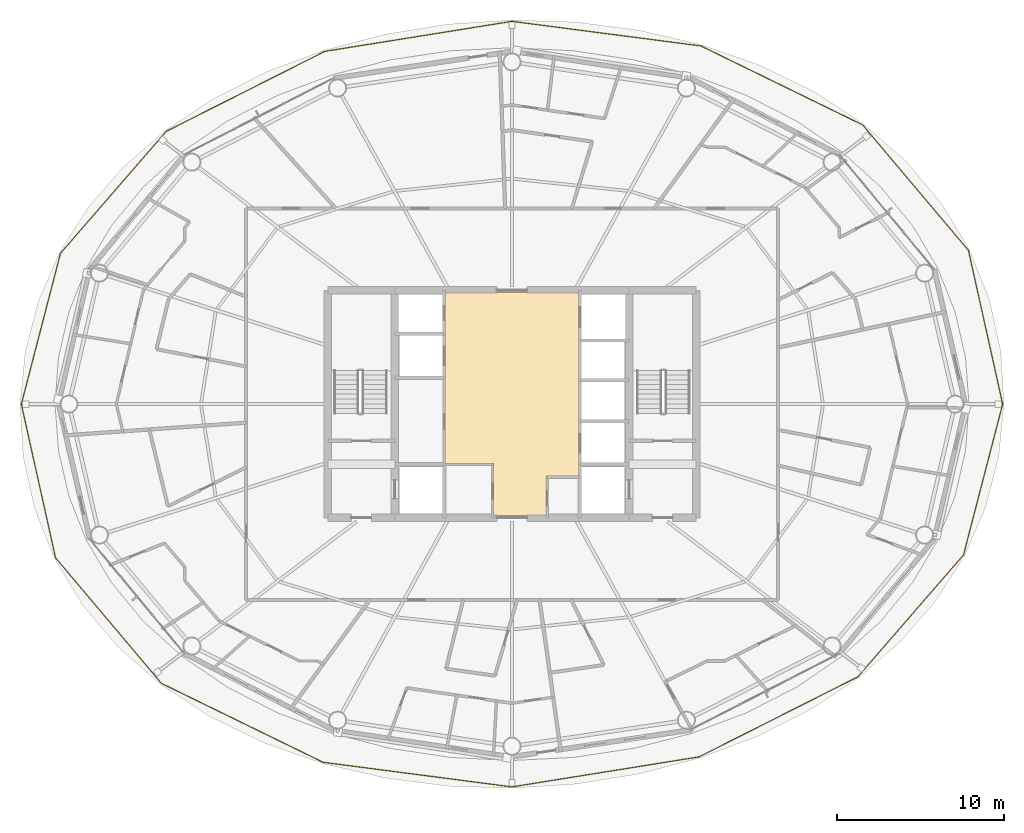
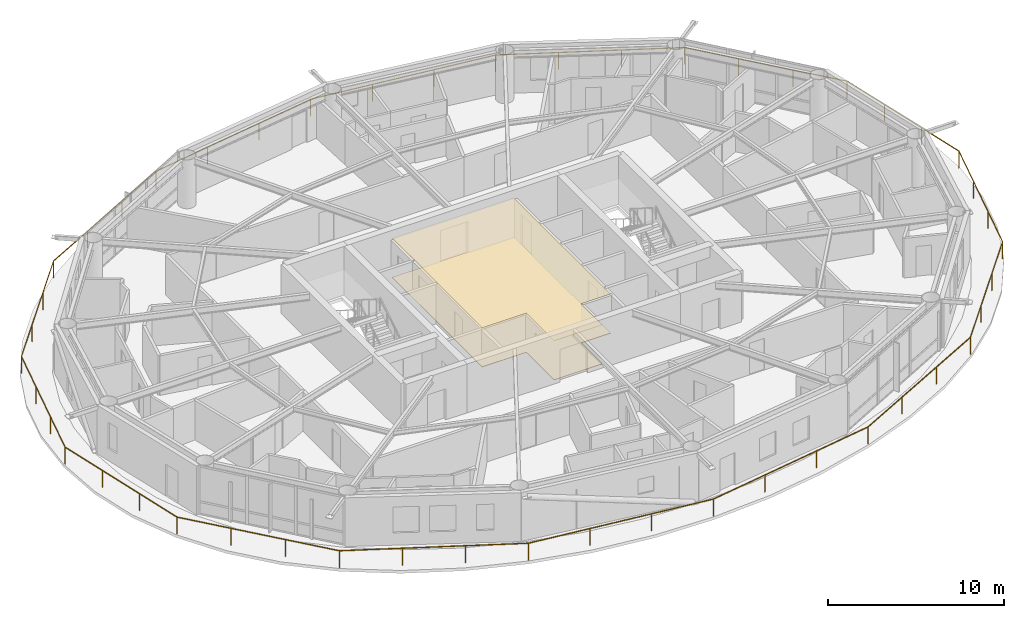
# One storey, part 28 of 29: 2 coverings, 1 railing.
"""IFC4 building model written with IfcOpenShell, lengths in metres."""

from ifc_helpers import new_model, si_unit, direction, frame, origin, origin_2d, place, context, subcontext, project, spatial, polyline, rectangle, outline, extrude, material, layer, layer_set, type_object, element, save


model = new_model("IFC4")

# Units and contexts
model_context = context("Model", 3, precision=1e-05, world=origin(), true_north=direction((0.0, 1.0)))
body_context = subcontext(model_context, "Body", "Model", "MODEL_VIEW")
ifc_project = project(units=[si_unit("LENGTHUNIT", "METRE"), si_unit("AREAUNIT", "SQUARE_METRE"), si_unit("VOLUMEUNIT", "CUBIC_METRE"), si_unit("PLANEANGLEUNIT", "RADIAN"), si_unit("MASSUNIT", "GRAM", prefix="KILO")], contexts=[model_context])

# Site, building, storey
site_placement = place(None, origin())
site = spatial("IfcSite", under=ifc_project, at=site_placement, CompositionType="ELEMENT")
building_placement = place(site_placement, origin())
building = spatial("IfcBuilding", under=site, at=building_placement, Name="Sarneth Arch Tower", CompositionType="ELEMENT")
storey_placement = place(building_placement, frame((0.0, 0.0, 165.0)))
storey = spatial("IfcBuildingStorey", under=building, at=storey_placement, Name="L41", CompositionType="ELEMENT", Elevation=165.0)

# Coverings
ifc_material_1 = material(Name="Perforated acoustic gypsum ceiling board")
ifc_layer_1 = layer(ifc_material_1, 0.02490234375)
ifc_layer_set_1 = layer_set([ifc_layer_1], Name="Perforated acoustic gypsum ceiling board")
covering_type_1 = type_object("IfcCoveringType", Name="COV-CEIL-GYP", PredefinedType="CEILING", material=ifc_layer_set_1)
covering_1_placement = place(storey_placement, frame((0.0, 0.0, 2.7099609375)))
element("IfcCovering", 1, at=covering_1_placement, inside=storey, type_object=covering_type_1, Name="L41 Lift lobby acoustic ceiling", PredefinedType="CEILING", context=body_context, shape_type="SweptSolid", body=[
    extrude(outline(polyline([(52.0, 37.699951171875), (50.050048828125, 37.699951171875), (50.050048828125, 35.300048828125), (46.89990234375, 35.300048828125), (46.89990234375, 38.449951171875), (44.0, 38.449951171875), (44.0, 48.699951171875), (52.0, 48.699951171875), (52.0, 37.699951171875)])), origin(), (0.0, 0.0, 1.0), 0.030029296875),
])
ifc_material_2 = material(Name="Honed granite stone flooring", Category="masonry")
ifc_layer_2 = layer(ifc_material_2, 0.030029296875)
ifc_layer_set_2 = layer_set([ifc_layer_2], Name="Honed granite stone flooring")
covering_type_2 = type_object("IfcCoveringType", Name="COV-FLR-STONE", PredefinedType="FLOORING", material=ifc_layer_set_2)
covering_2_placement = place(storey_placement, origin())
element("IfcCovering", 2, at=covering_2_placement, inside=storey, type_object=covering_type_2, Name="L41 Lift lobby granite flooring", PredefinedType="FLOORING", context=body_context, shape_type="SweptSolid", body=[
    extrude(outline(polyline([(52.0, 37.699951171875), (50.050048828125, 37.699951171875), (50.050048828125, 35.300048828125), (46.89990234375, 35.300048828125), (46.89990234375, 38.449951171875), (44.0, 38.449951171875), (44.0, 48.699951171875), (52.0, 48.699951171875), (52.0, 37.699951171875)])), origin(), (0.0, 0.0, 1.0), 0.030029296875),
])

# Railing
ifc_material_3 = material(Name="Laminated structural glass infill with Stainless Steel 316 top rail and posts", Category="steel")
railing_type = type_object("IfcRailingType", Name="RAIL-BALC-1200", PredefinedType="BALUSTRADE", material=ifc_material_3)
railing_placement = place(storey_placement, frame((77.32568359375, 42.0, 0.0)))
element("IfcRailing", 3, at=railing_placement, inside=storey, type_object=railing_type, Name="L41 Helical balcony glass balustrade", PredefinedType="BALUSTRADE", context=body_context, shape_type="SweptSolid", body=[
    extrude(rectangle(XDim=0.048095703125, YDim=0.048095703125, at=origin_2d()), frame((0.0, 0.0, 1.17578125), z_axis=(-0.217169489939, 0.976133911223, 0.0), x_axis=(-0.976133911223, -0.217169489939, 0.0)), (0.0, 0.0, 1.0), 9.408447265625),
    extrude(rectangle(XDim=0.048095703125, YDim=0.048095703125, at=origin_2d()), frame((-2.043212890625, 9.183837890625, 1.17578125), z_axis=(-0.644579864404, 0.764536983019, 0.0), x_axis=(-0.764536983019, -0.644579864404, 0.0)), (0.0, 0.0, 1.0), 9.81591796875),
    extrude(rectangle(XDim=0.048095703125, YDim=0.048095703125, at=origin_2d()), frame((-8.370361328125, 16.6884765625, 1.17578125), z_axis=(-0.898622459048, 0.43872277818, 0.0), x_axis=(-0.43872277818, -0.898622459048, 0.0)), (0.0, 0.0, 1.0), 10.756103515625),
    extrude(rectangle(XDim=0.048095703125, YDim=0.048095703125, at=origin_2d()), frame((-18.0361328125, 21.407470703125, 1.17578125), z_axis=(-0.991629443649, 0.129116406734, 0.0), x_axis=(-0.129116406734, -0.991629443649, 0.0)), (0.0, 0.0, 1.0), 11.384765625),
    extrude(rectangle(XDim=0.048095703125, YDim=0.048095703125, at=origin_2d()), frame((-29.32568359375, 22.87744140625, 1.17578125), z_axis=(-0.987358747983, -0.158501428326, 0.0), x_axis=(0.158501428326, -0.987358747983, 0.0)), (0.0, 0.0, 1.0), 11.33056640625),
    extrude(rectangle(XDim=0.048095703125, YDim=0.048095703125, at=origin_2d()), frame((-40.512939453125, 21.08154296875, 1.17578125), z_axis=(-0.892903963108, -0.450247168414, 0.0), x_axis=(0.450247168414, -0.892903963108, 0.0)), (0.0, 0.0, 1.0), 10.6142578125),
    extrude(rectangle(XDim=0.048095703125, YDim=0.048095703125, at=origin_2d()), frame((-49.990478515625, 16.302490234375, 1.17578125), z_axis=(-0.655258160668, -0.755405019098, 0.0), x_axis=(0.755405019098, -0.655258160668, 0.0)), (0.0, 0.0, 1.0), 9.64404296875),
    extrude(rectangle(XDim=0.048095703125, YDim=0.048095703125, at=origin_2d()), frame((-56.309814453125, 9.017333984375, 1.17578125), z_axis=(-0.251336831299, -0.967899683455, 0.0), x_axis=(0.967899683455, -0.251336831299, 0.0)), (0.0, 0.0, 1.0), 9.31640625),
    extrude(rectangle(XDim=0.048095703125, YDim=0.048095703125, at=origin_2d()), frame((-58.6513671875, 0.0, 1.17578125), z_axis=(0.217169489939, -0.976133911223, 0.0), x_axis=(0.976133911223, 0.217169489939, 0.0)), (0.0, 0.0, 1.0), 9.408447265625),
    extrude(rectangle(XDim=0.048095703125, YDim=0.048095703125, at=origin_2d()), frame((-56.608154296875, -9.183837890625, 1.17578125), z_axis=(0.644579864404, -0.764536983019, 0.0), x_axis=(0.764536983019, 0.644579864404, 0.0)), (0.0, 0.0, 1.0), 9.81591796875),
    extrude(rectangle(XDim=0.048095703125, YDim=0.048095703125, at=origin_2d()), frame((-50.281005859375, -16.6884765625, 1.17578125), z_axis=(0.898622459048, -0.43872277818, 0.0), x_axis=(0.43872277818, 0.898622459048, 0.0)), (0.0, 0.0, 1.0), 10.756103515625),
    extrude(rectangle(XDim=0.048095703125, YDim=0.048095703125, at=origin_2d()), frame((-40.615234375, -21.407470703125, 1.17578125), z_axis=(0.991629443649, -0.129116406734, 0.0), x_axis=(0.129116406734, 0.991629443649, 0.0)), (0.0, 0.0, 1.0), 11.384765625),
    extrude(rectangle(XDim=0.048095703125, YDim=0.048095703125, at=origin_2d()), frame((-29.32568359375, -22.87744140625, 1.17578125), z_axis=(0.987358747983, 0.158501428326, 0.0), x_axis=(-0.158501428326, 0.987358747983, 0.0)), (0.0, 0.0, 1.0), 11.33056640625),
    extrude(rectangle(XDim=0.048095703125, YDim=0.048095703125, at=origin_2d()), frame((-18.138427734375, -21.08154296875, 1.17578125), z_axis=(0.892903963108, 0.450247168414, 0.0), x_axis=(-0.450247168414, 0.892903963108, 0.0)), (0.0, 0.0, 1.0), 10.6142578125),
    extrude(rectangle(XDim=0.048095703125, YDim=0.048095703125, at=origin_2d()), frame((-8.660888671875, -16.302490234375, 1.17578125), z_axis=(0.655258160668, 0.755405019098, 0.0), x_axis=(-0.755405019098, 0.655258160668, 0.0)), (0.0, 0.0, 1.0), 9.64404296875),
    extrude(rectangle(XDim=0.048095703125, YDim=0.048095703125, at=origin_2d()), frame((-2.341552734375, -9.017333984375, 1.17578125), z_axis=(0.251336831299, 0.967899683455, 0.0), x_axis=(-0.967899683455, 0.251336831299, 0.0)), (0.0, 0.0, 1.0), 9.31640625),
    extrude(rectangle(XDim=0.0419921875, YDim=0.0419921875, at=origin_2d()), origin(), (0.0, 0.0, 1.0), 1.15185546875),
    extrude(rectangle(XDim=0.0419921875, YDim=0.0419921875, at=origin_2d()), frame((-0.68115234375, 3.061279296875, 0.0)), (0.0, 0.0, 1.0), 1.15185546875),
    extrude(rectangle(XDim=0.0419921875, YDim=0.0419921875, at=origin_2d()), frame((-1.362060546875, 6.12255859375, 0.0)), (0.0, 0.0, 1.0), 1.15185546875),
    extrude(rectangle(XDim=0.0419921875, YDim=0.0419921875, at=origin_2d()), frame((-2.043212890625, 9.183837890625, 0.0)), (0.0, 0.0, 1.0), 1.15185546875),
    extrude(rectangle(XDim=0.0419921875, YDim=0.0419921875, at=origin_2d()), frame((-4.15234375, 11.685302734375, 0.0)), (0.0, 0.0, 1.0), 1.15185546875),
    extrude(rectangle(XDim=0.0419921875, YDim=0.0419921875, at=origin_2d()), frame((-6.26123046875, 14.18701171875, 0.0)), (0.0, 0.0, 1.0), 1.15185546875),
    extrude(rectangle(XDim=0.0419921875, YDim=0.0419921875, at=origin_2d()), frame((-8.370361328125, 16.6884765625, 0.0)), (0.0, 0.0, 1.0), 1.15185546875),
    extrude(rectangle(XDim=0.0419921875, YDim=0.0419921875, at=origin_2d()), frame((-11.59228515625, 18.261474609375, 0.0)), (0.0, 0.0, 1.0), 1.15185546875),
    extrude(rectangle(XDim=0.0419921875, YDim=0.0419921875, at=origin_2d()), frame((-14.814208984375, 19.83447265625, 0.0)), (0.0, 0.0, 1.0), 1.15185546875),
    extrude(rectangle(XDim=0.0419921875, YDim=0.0419921875, at=origin_2d()), frame((-18.0361328125, 21.407470703125, 0.0)), (0.0, 0.0, 1.0), 1.15185546875),
    extrude(rectangle(XDim=0.0419921875, YDim=0.0419921875, at=origin_2d()), frame((-21.79931640625, 21.8974609375, 0.0)), (0.0, 0.0, 1.0), 1.15185546875),
    extrude(rectangle(XDim=0.0419921875, YDim=0.0419921875, at=origin_2d()), frame((-25.5625, 22.387451171875, 0.0)), (0.0, 0.0, 1.0), 1.15185546875),
    extrude(rectangle(XDim=0.0419921875, YDim=0.0419921875, at=origin_2d()), frame((-29.32568359375, 22.87744140625, 0.0)), (0.0, 0.0, 1.0), 1.15185546875),
    extrude(rectangle(XDim=0.0419921875, YDim=0.0419921875, at=origin_2d()), frame((-33.0546875, 22.27880859375, 0.0)), (0.0, 0.0, 1.0), 1.15185546875),
    extrude(rectangle(XDim=0.0419921875, YDim=0.0419921875, at=origin_2d()), frame((-36.783935546875, 21.68017578125, 0.0)), (0.0, 0.0, 1.0), 1.15185546875),
    extrude(rectangle(XDim=0.0419921875, YDim=0.0419921875, at=origin_2d()), frame((-40.512939453125, 21.08154296875, 0.0)), (0.0, 0.0, 1.0), 1.15185546875),
    extrude(rectangle(XDim=0.0419921875, YDim=0.0419921875, at=origin_2d()), frame((-43.672119140625, 19.488525390625, 0.0)), (0.0, 0.0, 1.0), 1.15185546875),
    extrude(rectangle(XDim=0.0419921875, YDim=0.0419921875, at=origin_2d()), frame((-46.831298828125, 17.8955078125, 0.0)), (0.0, 0.0, 1.0), 1.15185546875),
    extrude(rectangle(XDim=0.0419921875, YDim=0.0419921875, at=origin_2d()), frame((-49.990478515625, 16.302490234375, 0.0)), (0.0, 0.0, 1.0), 1.15185546875),
    extrude(rectangle(XDim=0.0419921875, YDim=0.0419921875, at=origin_2d()), frame((-52.096923828125, 13.8740234375, 0.0)), (0.0, 0.0, 1.0), 1.15185546875),
    extrude(rectangle(XDim=0.0419921875, YDim=0.0419921875, at=origin_2d()), frame((-54.203369140625, 11.44580078125, 0.0)), (0.0, 0.0, 1.0), 1.15185546875),
    extrude(rectangle(XDim=0.0419921875, YDim=0.0419921875, at=origin_2d()), frame((-56.309814453125, 9.017333984375, 0.0)), (0.0, 0.0, 1.0), 1.15185546875),
    extrude(rectangle(XDim=0.0419921875, YDim=0.0419921875, at=origin_2d()), frame((-57.09033203125, 6.011474609375, 0.0)), (0.0, 0.0, 1.0), 1.15185546875),
    extrude(rectangle(XDim=0.0419921875, YDim=0.0419921875, at=origin_2d()), frame((-57.870849609375, 3.005859375, 0.0)), (0.0, 0.0, 1.0), 1.15185546875),
    extrude(rectangle(XDim=0.0419921875, YDim=0.0419921875, at=origin_2d()), frame((-58.6513671875, 0.0, 0.0)), (0.0, 0.0, 1.0), 1.15185546875),
    extrude(rectangle(XDim=0.0419921875, YDim=0.0419921875, at=origin_2d()), frame((-57.97021484375, -3.061279296875, 0.0)), (0.0, 0.0, 1.0), 1.15185546875),
    extrude(rectangle(XDim=0.0419921875, YDim=0.0419921875, at=origin_2d()), frame((-57.289306640625, -6.12255859375, 0.0)), (0.0, 0.0, 1.0), 1.15185546875),
    extrude(rectangle(XDim=0.0419921875, YDim=0.0419921875, at=origin_2d()), frame((-56.608154296875, -9.183837890625, 0.0)), (0.0, 0.0, 1.0), 1.15185546875),
    extrude(rectangle(XDim=0.0419921875, YDim=0.0419921875, at=origin_2d()), frame((-54.4990234375, -11.685302734375, 0.0)), (0.0, 0.0, 1.0), 1.15185546875),
    extrude(rectangle(XDim=0.0419921875, YDim=0.0419921875, at=origin_2d()), frame((-52.39013671875, -14.18701171875, 0.0)), (0.0, 0.0, 1.0), 1.15185546875),
    extrude(rectangle(XDim=0.0419921875, YDim=0.0419921875, at=origin_2d()), frame((-50.281005859375, -16.6884765625, 0.0)), (0.0, 0.0, 1.0), 1.15185546875),
    extrude(rectangle(XDim=0.0419921875, YDim=0.0419921875, at=origin_2d()), frame((-47.05908203125, -18.261474609375, 0.0)), (0.0, 0.0, 1.0), 1.15185546875),
    extrude(rectangle(XDim=0.0419921875, YDim=0.0419921875, at=origin_2d()), frame((-43.837158203125, -19.83447265625, 0.0)), (0.0, 0.0, 1.0), 1.15185546875),
    extrude(rectangle(XDim=0.0419921875, YDim=0.0419921875, at=origin_2d()), frame((-40.615234375, -21.407470703125, 0.0)), (0.0, 0.0, 1.0), 1.15185546875),
    extrude(rectangle(XDim=0.0419921875, YDim=0.0419921875, at=origin_2d()), frame((-36.85205078125, -21.8974609375, 0.0)), (0.0, 0.0, 1.0), 1.15185546875),
    extrude(rectangle(XDim=0.0419921875, YDim=0.0419921875, at=origin_2d()), frame((-33.0888671875, -22.387451171875, 0.0)), (0.0, 0.0, 1.0), 1.15185546875),
    extrude(rectangle(XDim=0.0419921875, YDim=0.0419921875, at=origin_2d()), frame((-29.32568359375, -22.87744140625, 0.0)), (0.0, 0.0, 1.0), 1.15185546875),
    extrude(rectangle(XDim=0.0419921875, YDim=0.0419921875, at=origin_2d()), frame((-25.5966796875, -22.27880859375, 0.0)), (0.0, 0.0, 1.0), 1.15185546875),
    extrude(rectangle(XDim=0.0419921875, YDim=0.0419921875, at=origin_2d()), frame((-21.867431640625, -21.68017578125, 0.0)), (0.0, 0.0, 1.0), 1.15185546875),
    extrude(rectangle(XDim=0.0419921875, YDim=0.0419921875, at=origin_2d()), frame((-18.138427734375, -21.08154296875, 0.0)), (0.0, 0.0, 1.0), 1.15185546875),
    extrude(rectangle(XDim=0.0419921875, YDim=0.0419921875, at=origin_2d()), frame((-14.979248046875, -19.488525390625, 0.0)), (0.0, 0.0, 1.0), 1.15185546875),
    extrude(rectangle(XDim=0.0419921875, YDim=0.0419921875, at=origin_2d()), frame((-11.820068359375, -17.8955078125, 0.0)), (0.0, 0.0, 1.0), 1.15185546875),
    extrude(rectangle(XDim=0.0419921875, YDim=0.0419921875, at=origin_2d()), frame((-8.660888671875, -16.302490234375, 0.0)), (0.0, 0.0, 1.0), 1.15185546875),
    extrude(rectangle(XDim=0.0419921875, YDim=0.0419921875, at=origin_2d()), frame((-6.554443359375, -13.8740234375, 0.0)), (0.0, 0.0, 1.0), 1.15185546875),
    extrude(rectangle(XDim=0.0419921875, YDim=0.0419921875, at=origin_2d()), frame((-4.447998046875, -11.44580078125, 0.0)), (0.0, 0.0, 1.0), 1.15185546875),
    extrude(rectangle(XDim=0.0419921875, YDim=0.0419921875, at=origin_2d()), frame((-2.341552734375, -9.017333984375, 0.0)), (0.0, 0.0, 1.0), 1.15185546875),
    extrude(rectangle(XDim=0.0419921875, YDim=0.0419921875, at=origin_2d()), frame((-1.56103515625, -6.011474609375, 0.0)), (0.0, 0.0, 1.0), 1.15185546875),
    extrude(rectangle(XDim=0.0419921875, YDim=0.0419921875, at=origin_2d()), frame((-0.780517578125, -3.005859375, 0.0)), (0.0, 0.0, 1.0), 1.15185546875),
])

save(model, "model.ifc")
